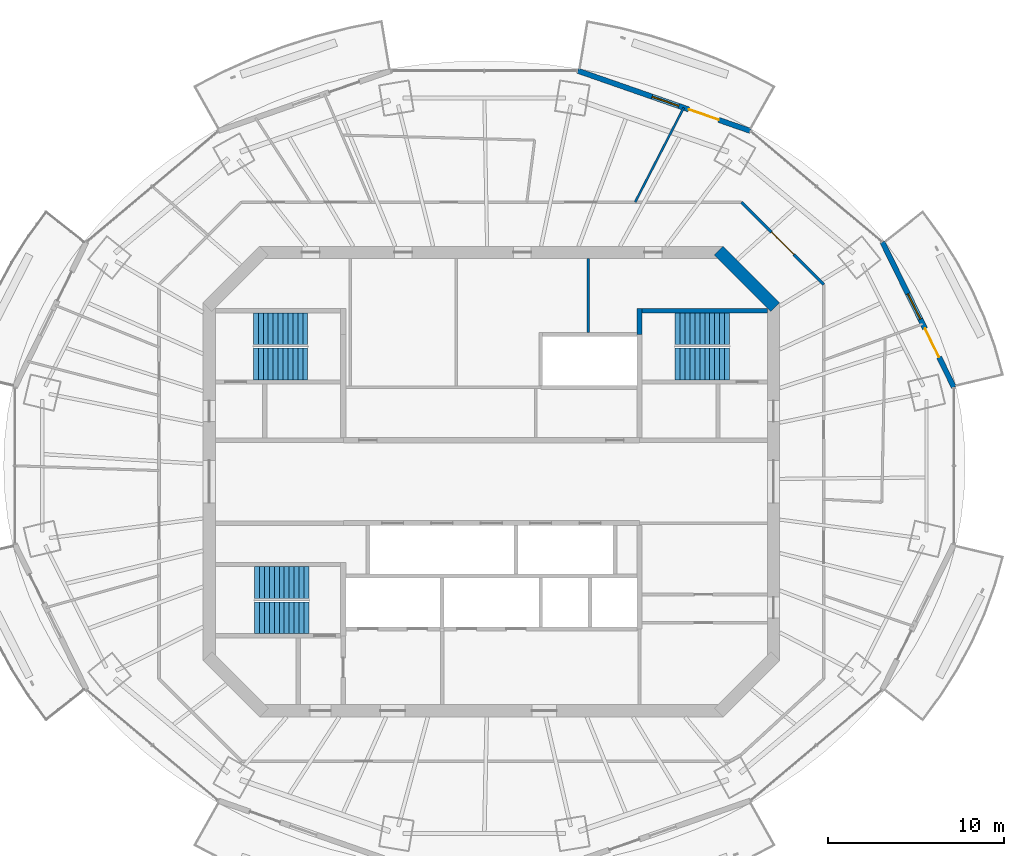
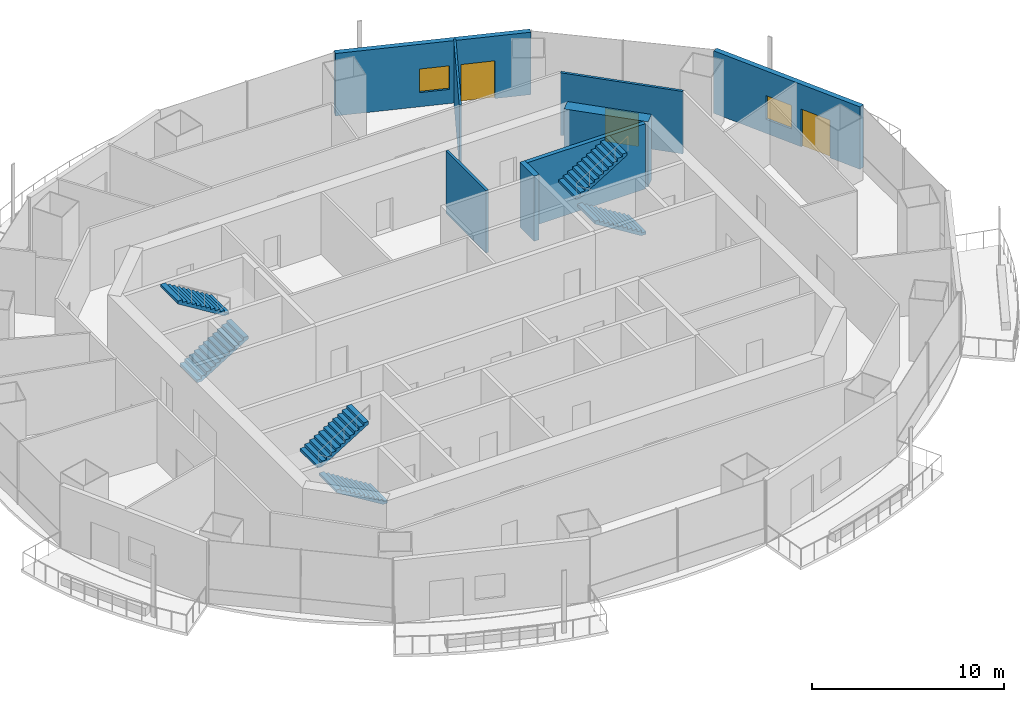
# One storey, part 11 of 16: 8 walls, 6 stair flights, 3 doors, 2 windows, 5 openings, 3 elements without a shape of their own.
"""IFC4 building model written with IfcOpenShell, lengths in metres."""

from ifc_helpers import new_model, si_unit, direction, frame, frame_2d, origin, place, context, subcontext, project, spatial, polyline, rectangle, outline, extrude, material, layer, layer_set, type_object, element, fill, aggregate, save


model = new_model("IFC4")

# Units and contexts
model_context = context("Model", 3, precision=1e-05, world=origin(), true_north=direction((0.0, 1.0)))
body_context = subcontext(model_context, "Body", "Model", "MODEL_VIEW")
ifc_project = project(units=[si_unit("LENGTHUNIT", "METRE"), si_unit("AREAUNIT", "SQUARE_METRE"), si_unit("VOLUMEUNIT", "CUBIC_METRE"), si_unit("PLANEANGLEUNIT", "RADIAN"), si_unit("MASSUNIT", "GRAM", prefix="KILO")], contexts=[model_context])

# Site, building, storey
site_placement = place(None, origin())
site = spatial("IfcSite", under=ifc_project, at=site_placement, CompositionType="ELEMENT")
building_placement = place(site_placement, origin())
building = spatial("IfcBuilding", under=site, at=building_placement, Name="Marenthal Gate Tower", CompositionType="ELEMENT")
storey_placement = place(building_placement, frame((0.0, 0.0, 342.60009765625)))
storey = spatial("IfcBuildingStorey", under=building, at=storey_placement, Name="L77", CompositionType="ELEMENT", Elevation=342.60009765625)

# Walls
ifc_material_1 = material(Name="Concrete 60 MPa", Category="concrete")
ifc_layer_1 = layer(ifc_material_1, 0.699951171875)
ifc_layer_set_1 = layer_set([ifc_layer_1], Name="Core shear wall 700")
wall_type_1 = type_object("IfcWallType", Name="Core shear wall 700", PredefinedType="SHEAR", material=ifc_layer_set_1)
wall_1_placement = place(storey_placement, frame((16.1025390625, 9.8974609375, -0.18017578125), z_axis=(0.0, 0.0, 1.0), x_axis=(-0.707106781187, 0.707106781187, 0.0)))
element("IfcWall", 1, at=wall_1_placement, inside=storey, type_object=wall_type_1, Name="Core wall 03", PredefinedType="SHEAR", context=body_context, shape_type="SweptSolid", body=[
    extrude(rectangle(XDim=4.53271484375, YDim=0.699951171875, at=frame_2d((2.266357421875, 0.0))), origin(), (0.0, 0.0, 1.0), 4.150146484375),
])
ifc_material_2 = material(Name="Gypsum board on steel studs", Category="steel")
ifc_layer_2 = layer(ifc_material_2, 0.1201171875)
ifc_layer_set_2 = layer_set([ifc_layer_2], Name="Partition 120")
wall_type_2 = type_object("IfcWallType", Name="Partition 120", PredefinedType="PARTITIONING", material=ifc_layer_set_2)
wall_2_placement = place(storey_placement, frame((8.150390625, 15.85009765625, 0.0), z_axis=(0.0, 0.0, 1.0), x_axis=(0.457314139227, 0.889305222105, 0.0)))
element("IfcWall", 2, at=wall_2_placement, inside=storey, type_object=wall_type_2, Name="Partition wall 65", PredefinedType="PARTITIONING", context=body_context, shape_type="SweptSolid", body=[
    extrude(rectangle(XDim=6.025634765625, YDim=0.1201171875, at=frame_2d((3.0126953125, 0.0))), origin(), (0.0, 0.0, 1.0), 3.969970703125),
])
ifc_material_3 = material(Name="Gypsum board on steel studs", Category="steel")
ifc_layer_3 = layer(ifc_material_3, 0.14990234375)
ifc_layer_set_3 = layer_set([ifc_layer_3], Name="Partition 150")
wall_type_3 = type_object("IfcWallType", Name="Partition 150", PredefinedType="PARTITIONING", material=ifc_layer_set_3)
wall_3_placement = place(storey_placement, frame((5.5, 8.4599609375, 0.0), z_axis=(0.0, 0.0, 1.0), x_axis=(0.0, 1.0, 0.0)))
element("IfcWall", 3, at=wall_3_placement, inside=storey, type_object=wall_type_3, Name="Partition wall 44", PredefinedType="PARTITIONING", context=body_context, shape_type="SweptSolid", body=[
    extrude(rectangle(XDim=4.18994140625, YDim=0.14990234375, at=frame_2d((2.094970703125, 0.0))), origin(), (0.0, 0.0, 1.0), 3.969970703125),
])

# Wall, opening, door
wall_4_placement = place(storey_placement, frame((14.180419921875, 15.85009765625, 0.0), z_axis=(0.0, 0.0, 1.0), x_axis=(0.707106781187, -0.707106781187, 0.0)))
wall_4 = element("IfcWall", 4, at=wall_4_placement, inside=storey, type_object=wall_type_3, Name="Partition wall 68", PredefinedType="PARTITIONING", context=body_context, shape_type="SweptSolid", body=[
    extrude(rectangle(XDim=6.60400390625, YDim=0.14990234375, at=frame_2d((3.302001953125, 0.0))), origin(), (0.0, 0.0, 1.0), 3.969970703125),
])
opening_1_placement = place(wall_4_placement, frame((2.402099609375, 0.0, 0.0)))
opening_1 = element("IfcOpeningElement", 5, at=opening_1_placement, cuts=wall_4, Name="Opening D014.01", PredefinedType="OPENING", context=body_context, shape_type="SweptSolid", body=[
    extrude(rectangle(XDim=1.800048828125, YDim=2.10009765625, at=frame_2d((0.89990234375, 1.050048828125))), frame((0.0, 0.0849609375, 0.0), z_axis=(0.0, -1.0, 0.0), x_axis=(1.0, 0.0, 0.0)), (0.0, 0.0, 1.0), 0.169921875),
])
ifc_material_4 = material(Name="Timber door", Category="wood")
door_type_1 = type_object("IfcDoorType", Name="Double door 1800 x 2100", OperationType="DOUBLE_DOOR_SINGLE_SWING", PredefinedType="DOOR", material=ifc_material_4)
door_1_placement = place(opening_1_placement, origin())
door_1 = element("IfcDoor", 6, at=door_1_placement, inside=storey, type_object=door_type_1, Name="Door D014.01", OperationType="DOUBLE_DOOR_SINGLE_SWING", OverallHeight=2.10009765625, OverallWidth=1.800048828125, PredefinedType="DOOR", context=body_context, shape_type="SweptSolid", body=[
    extrude(rectangle(XDim=1.800048828125, YDim=2.10009765625, at=frame_2d((0.89990234375, 1.050048828125))), frame((0.0, 0.02490234375, 0.0), z_axis=(0.0, -1.0, 0.0), x_axis=(1.0, 0.0, 0.0)), (0.0, 0.0, 1.0), 0.050048828125),
])
fill(opening_1, door_1)

# Walls
ifc_material_5 = material(Name="Concrete 50 MPa", Category="concrete")
ifc_layer_4 = layer(ifc_material_5, 0.25)
ifc_layer_set_4 = layer_set([ifc_layer_4], Name="Stair shear wall 250")
wall_type_4 = type_object("IfcWallType", Name="Stair shear wall 250", PredefinedType="SHEAR", material=ifc_layer_set_4)
wall_5_placement = place(storey_placement, frame((8.550048828125, 9.699951171875, -0.18017578125), z_axis=(0.0, 0.0, 1.0), x_axis=(1.0, 0.0, 0.0)))
element("IfcWall", 7, at=wall_5_placement, inside=storey, type_object=wall_type_4, Name="Stair wall 28", PredefinedType="SHEAR", context=body_context, shape_type="SweptSolid", body=[
    extrude(rectangle(XDim=7.099853515625, YDim=0.25, at=frame_2d((3.5498046875, 0.0))), origin(), (0.0, 0.0, 1.0), 4.150146484375),
])
ifc_material_6 = material(Name="Concrete 50 MPa", Category="concrete")
ifc_layer_5 = layer(ifc_material_6, 0.300048828125)
ifc_layer_set_5 = layer_set([ifc_layer_5], Name="Stair shear wall 300")
wall_type_5 = type_object("IfcWallType", Name="Stair shear wall 300", PredefinedType="SHEAR", material=ifc_layer_set_5)
wall_6_placement = place(storey_placement, frame((8.39990234375, 8.35009765625, -0.18017578125), z_axis=(0.0, 0.0, 1.0), x_axis=(0.0, 1.0, 0.0)))
element("IfcWall", 8, at=wall_6_placement, inside=storey, type_object=wall_type_5, Name="Stair wall 50", PredefinedType="SHEAR", context=body_context, shape_type="SweptSolid", body=[
    extrude(rectangle(XDim=1.474853515625, YDim=0.300048828125, at=frame_2d((0.7373046875, 0.0))), origin(), (0.0, 0.0, 1.0), 4.150146484375),
])

# Wall, openings, door, window
ifc_material_7 = material(Name="Terracotta cladding on insulated concrete-block backing", Category="masonry")
ifc_layer_6 = layer(ifc_material_7, 0.300048828125)
ifc_layer_set_6 = layer_set([ifc_layer_6], Name="Terracotta facade wall 300")
wall_type_6 = type_object("IfcWallType", Name="Terracotta facade wall 300", PredefinedType="SOLIDWALL", material=ifc_layer_set_6)
wall_7_placement = place(storey_placement, frame((26.227294921875, 5.356201171875, 0.0), z_axis=(0.0, 0.0, 1.0), x_axis=(-0.441682707494, 0.89717132472, 0.0)))
wall_7 = element("IfcWall", 9, at=wall_7_placement, inside=storey, type_object=wall_type_6, Name="Terracotta facade wall L77 bay 1", PredefinedType="SOLIDWALL", context=body_context, shape_type="SweptSolid", body=[
    extrude(rectangle(XDim=9.177978515625, YDim=0.300048828125, at=frame_2d((4.5888671875, 0.0))), origin(), (0.0, 0.0, 1.0), 3.969970703125),
])
opening_2_placement = place(wall_7_placement, frame((1.89990234375, 0.0, 0.0)))
opening_2 = element("IfcOpeningElement", 10, at=opening_2_placement, cuts=wall_7, Name="Opening BD-L77-01", PredefinedType="OPENING", context=body_context, shape_type="SweptSolid", body=[
    extrude(rectangle(XDim=1.800048828125, YDim=2.39990234375, at=frame_2d((0.89990234375, 1.199951171875))), frame((0.0, 0.16015625, 0.0), z_axis=(0.0, -1.0, 0.0), x_axis=(1.0, 0.0, 0.0)), (0.0, 0.0, 1.0), 0.320068359375),
])
opening_3_placement = place(wall_7_placement, frame((4.300048828125, 0.0, 0.89990234375)))
opening_3 = element("IfcOpeningElement", 11, at=opening_3_placement, cuts=wall_7, Name="Opening WN3-L77-01", PredefinedType="OPENING", context=body_context, shape_type="SweptSolid", body=[
    extrude(rectangle(XDim=1.60009765625, YDim=1.5, at=frame_2d((0.800048828125, 0.75))), frame((0.0, 0.16015625, 0.0), z_axis=(0.0, -1.0, 0.0), x_axis=(1.0, 0.0, 0.0)), (0.0, 0.0, 1.0), 0.320068359375),
])
ifc_material_8 = material(Name="Aluminium and glass", Category="aluminium")
door_type_2 = type_object("IfcDoorType", Name="Balcony door 1800x2400", OperationType="DOUBLE_DOOR_SINGLE_SWING", PredefinedType="DOOR", material=ifc_material_8)
door_2_placement = place(opening_2_placement, origin())
door_2 = element("IfcDoor", 12, at=door_2_placement, inside=storey, type_object=door_type_2, Name="Balcony door L77 bay 1", OperationType="SINGLE_SWING_LEFT", OverallHeight=2.39990234375, OverallWidth=1.800048828125, PredefinedType="DOOR", context=body_context, shape_type="SweptSolid", body=[
    extrude(rectangle(XDim=1.800048828125, YDim=2.39990234375, at=frame_2d((0.89990234375, 1.199951171875))), frame((0.0, 0.02490234375, 0.0), z_axis=(0.0, -1.0, 0.0), x_axis=(1.0, 0.0, 0.0)), (0.0, 0.0, 1.0), 0.050048828125),
])
fill(opening_2, door_2)
ifc_material_9 = material(Name="Aluminium and glass", Category="aluminium")
window_type = type_object("IfcWindowType", Name="Window 1600x1500", PartitioningType="DOUBLE_PANEL_VERTICAL", PredefinedType="WINDOW", material=ifc_material_9)
window_1_placement = place(opening_3_placement, origin())
window_1 = element("IfcWindow", 13, at=window_1_placement, inside=storey, type_object=window_type, Name="Window L77 bay 1", OverallHeight=1.5, OverallWidth=1.60009765625, PartitioningType="SINGLE_PANEL", PredefinedType="WINDOW", context=body_context, shape_type="SweptSolid", body=[
    extrude(rectangle(XDim=1.60009765625, YDim=1.5, at=frame_2d((0.800048828125, 0.75))), frame((0.0, 0.030029296875, 0.0), z_axis=(0.0, -1.0, 0.0), x_axis=(1.0, 0.0, 0.0)), (0.0, 0.0, 1.0), 0.06005859375),
])
fill(opening_3, window_1)

wall_8_placement = place(storey_placement, frame((14.68310546875, 19.892333984375, 0.0), z_axis=(0.0, 0.0, 1.0), x_axis=(-0.944291634301, 0.329109874341, 0.0)))
wall_8 = element("IfcWall", 14, at=wall_8_placement, inside=storey, type_object=wall_type_6, Name="Terracotta facade wall L77 bay 3", PredefinedType="SOLIDWALL", context=body_context, shape_type="SweptSolid", body=[
    extrude(rectangle(XDim=10.364013671875, YDim=0.300048828125, at=frame_2d((5.18212890625, 0.0))), origin(), (0.0, 0.0, 1.0), 3.969970703125),
])
opening_4_placement = place(wall_8_placement, frame((1.89990234375, 0.0, 0.0)))
opening_4 = element("IfcOpeningElement", 15, at=opening_4_placement, cuts=wall_8, Name="Opening BD-L77-03", PredefinedType="OPENING", context=body_context, shape_type="SweptSolid", body=[
    extrude(rectangle(XDim=1.800048828125, YDim=2.39990234375, at=frame_2d((0.89990234375, 1.199951171875))), frame((0.0, 0.16015625, 0.0), z_axis=(0.0, -1.0, 0.0), x_axis=(1.0, 0.0, 0.0)), (0.0, 0.0, 1.0), 0.320068359375),
])
opening_5_placement = place(wall_8_placement, frame((4.300048828125, 0.0, 0.89990234375)))
opening_5 = element("IfcOpeningElement", 16, at=opening_5_placement, cuts=wall_8, Name="Opening WN3-L77-03", PredefinedType="OPENING", context=body_context, shape_type="SweptSolid", body=[
    extrude(rectangle(XDim=1.60009765625, YDim=1.5, at=frame_2d((0.800048828125, 0.75))), frame((0.0, 0.16015625, 0.0), z_axis=(0.0, -1.0, 0.0), x_axis=(1.0, 0.0, 0.0)), (0.0, 0.0, 1.0), 0.320068359375),
])
door_3_placement = place(opening_4_placement, origin())
door_3 = element("IfcDoor", 17, at=door_3_placement, inside=storey, type_object=door_type_2, Name="Balcony door L77 bay 3", OperationType="SINGLE_SWING_LEFT", OverallHeight=2.39990234375, OverallWidth=1.800048828125, PredefinedType="DOOR", context=body_context, shape_type="SweptSolid", body=[
    extrude(rectangle(XDim=1.800048828125, YDim=2.39990234375, at=frame_2d((0.89990234375, 1.199951171875))), frame((0.0, 0.02490234375, 0.0), z_axis=(0.0, -1.0, 0.0), x_axis=(1.0, 0.0, 0.0)), (0.0, 0.0, 1.0), 0.050048828125),
])
fill(opening_4, door_3)
window_2_placement = place(opening_5_placement, origin())
window_2 = element("IfcWindow", 18, at=window_2_placement, inside=storey, type_object=window_type, Name="Window L77 bay 3", OverallHeight=1.5, OverallWidth=1.60009765625, PartitioningType="SINGLE_PANEL", PredefinedType="WINDOW", context=body_context, shape_type="SweptSolid", body=[
    extrude(rectangle(XDim=1.60009765625, YDim=1.5, at=frame_2d((0.800048828125, 0.75))), frame((0.0, 0.030029296875, 0.0), z_axis=(0.0, -1.0, 0.0), x_axis=(1.0, 0.0, 0.0)), (0.0, 0.0, 1.0), 0.06005859375),
])
fill(opening_5, window_2)

# Stair, stair flights
ifc_material_10 = material(Name="Concrete 40 MPa", Category="concrete")
stair_type = type_object("IfcStairType", Name="Exit stair 1800", PredefinedType="HALF_TURN_STAIR", material=ifc_material_10)
stair_1_placement = place(storey_placement, origin())
stair_1 = element("IfcStair", 19, at=stair_1_placement, inside=storey, type_object=stair_type, Name="Stair ST1", PredefinedType="HALF_TURN_STAIR")
ifc_material_11 = material(Name="Concrete 40 MPa", Category="concrete")
stair_flight_type = type_object("IfcStairFlightType", Name="Stair flight 1800", PredefinedType="STRAIGHT", material=ifc_material_11)
stair_flight_1_placement = place(storey_placement, frame((-13.5, 6.675048828125, 0.0), z_axis=(0.0, 0.0, 1.0), x_axis=(1.0, 0.0, 0.0)))
stair_flight_1 = element("IfcStairFlight", 20, at=stair_flight_1_placement, type_object=stair_flight_type, Name="ST1 flight 1", NumberOfRisers=12, NumberOfTreads=11, PredefinedType="STRAIGHT", RiserHeight=0.172916667, TreadLength=0.28, context=body_context, shape_type="SweptSolid", body=[
    extrude(outline(polyline([(0.0, 0.0), (0.0, 0.1728515625), (0.280029296875, 0.1728515625), (0.280029296875, 0.345947265625), (0.56005859375, 0.345947265625), (0.56005859375, 0.518798828125), (0.840087890625, 0.518798828125), (0.840087890625, 0.691650390625), (1.1201171875, 0.691650390625), (1.1201171875, 0.864501953125), (1.39990234375, 0.864501953125), (1.39990234375, 1.03759765625), (1.679931640625, 1.03759765625), (1.679931640625, 1.21044921875), (1.9599609375, 1.21044921875), (1.9599609375, 1.38330078125), (2.239990234375, 1.38330078125), (2.239990234375, 1.55615234375), (2.52001953125, 1.55615234375), (2.52001953125, 1.729248046875), (2.800048828125, 1.729248046875), (2.800048828125, 1.902099609375), (3.080078125, 1.902099609375), (3.080078125, 2.074951171875), (3.080078125, 1.725830078125), (0.285400390625, 0.0), (0.0, 0.0)])), frame((0.0, 0.89990234375, 0.0), z_axis=(0.0, -1.0, 0.0), x_axis=(1.0, 0.0, 0.0)), (0.0, 0.0, 1.0), 1.800048828125),
])
stair_flight_2_placement = place(storey_placement, frame((-10.419921875, 8.675048828125, 2.074951171875), z_axis=(0.0, 0.0, 1.0), x_axis=(-1.0, 0.0, 0.0)))
stair_flight_2 = element("IfcStairFlight", 21, at=stair_flight_2_placement, type_object=stair_flight_type, Name="ST1 flight 2", NumberOfRisers=12, NumberOfTreads=11, PredefinedType="STRAIGHT", RiserHeight=0.172916667, TreadLength=0.28, context=body_context, shape_type="SweptSolid", body=[
    extrude(outline(polyline([(0.0, 0.0), (0.0, 0.1728515625), (0.280029296875, 0.1728515625), (0.280029296875, 0.345947265625), (0.56005859375, 0.345947265625), (0.56005859375, 0.518798828125), (0.840087890625, 0.518798828125), (0.840087890625, 0.691650390625), (1.1201171875, 0.691650390625), (1.1201171875, 0.864501953125), (1.39990234375, 0.864501953125), (1.39990234375, 1.03759765625), (1.679931640625, 1.03759765625), (1.679931640625, 1.21044921875), (1.9599609375, 1.21044921875), (1.9599609375, 1.38330078125), (2.239990234375, 1.38330078125), (2.239990234375, 1.55615234375), (2.52001953125, 1.55615234375), (2.52001953125, 1.729248046875), (2.800048828125, 1.729248046875), (2.800048828125, 1.902099609375), (3.080078125, 1.902099609375), (3.080078125, 2.074951171875), (3.080078125, 1.725830078125), (0.285400390625, 0.0), (0.0, 0.0)])), frame((0.0, 0.89990234375, 0.0), z_axis=(0.0, -1.0, 0.0), x_axis=(1.0, 0.0, 0.0)), (0.0, 0.0, 1.0), 1.800048828125),
])
aggregate(stair_1, [stair_flight_1, stair_flight_2])

stair_2_placement = place(storey_placement, origin())
stair_2 = element("IfcStair", 22, at=stair_2_placement, inside=storey, type_object=stair_type, Name="Stair ST2", PredefinedType="HALF_TURN_STAIR")
stair_flight_3_placement = place(storey_placement, frame((-10.35009765625, -7.72509765625, 0.0), z_axis=(0.0, 0.0, 1.0), x_axis=(-1.0, 0.0, 0.0)))
stair_flight_3 = element("IfcStairFlight", 23, at=stair_flight_3_placement, type_object=stair_flight_type, Name="ST2 flight 1", NumberOfRisers=12, NumberOfTreads=11, PredefinedType="STRAIGHT", RiserHeight=0.172916667, TreadLength=0.28, context=body_context, shape_type="SweptSolid", body=[
    extrude(outline(polyline([(0.0, 0.0), (0.0, 0.1728515625), (0.280029296875, 0.1728515625), (0.280029296875, 0.345947265625), (0.56005859375, 0.345947265625), (0.56005859375, 0.518798828125), (0.840087890625, 0.518798828125), (0.840087890625, 0.691650390625), (1.1201171875, 0.691650390625), (1.1201171875, 0.864501953125), (1.39990234375, 0.864501953125), (1.39990234375, 1.03759765625), (1.679931640625, 1.03759765625), (1.679931640625, 1.21044921875), (1.9599609375, 1.21044921875), (1.9599609375, 1.38330078125), (2.239990234375, 1.38330078125), (2.239990234375, 1.55615234375), (2.52001953125, 1.55615234375), (2.52001953125, 1.729248046875), (2.800048828125, 1.729248046875), (2.800048828125, 1.902099609375), (3.080078125, 1.902099609375), (3.080078125, 2.074951171875), (3.080078125, 1.725830078125), (0.285400390625, 0.0), (0.0, 0.0)])), frame((0.0, 0.89990234375, 0.0), z_axis=(0.0, -1.0, 0.0), x_axis=(1.0, 0.0, 0.0)), (0.0, 0.0, 1.0), 1.800048828125),
])
stair_flight_4_placement = place(storey_placement, frame((-13.429931640625, -5.72509765625, 2.074951171875), z_axis=(0.0, 0.0, 1.0), x_axis=(1.0, 0.0, 0.0)))
stair_flight_4 = element("IfcStairFlight", 24, at=stair_flight_4_placement, type_object=stair_flight_type, Name="ST2 flight 2", NumberOfRisers=12, NumberOfTreads=11, PredefinedType="STRAIGHT", RiserHeight=0.172916667, TreadLength=0.28, context=body_context, shape_type="SweptSolid", body=[
    extrude(outline(polyline([(0.0, 0.0), (0.0, 0.1728515625), (0.280029296875, 0.1728515625), (0.280029296875, 0.345947265625), (0.56005859375, 0.345947265625), (0.56005859375, 0.518798828125), (0.840087890625, 0.518798828125), (0.840087890625, 0.691650390625), (1.1201171875, 0.691650390625), (1.1201171875, 0.864501953125), (1.39990234375, 0.864501953125), (1.39990234375, 1.03759765625), (1.679931640625, 1.03759765625), (1.679931640625, 1.21044921875), (1.9599609375, 1.21044921875), (1.9599609375, 1.38330078125), (2.239990234375, 1.38330078125), (2.239990234375, 1.55615234375), (2.52001953125, 1.55615234375), (2.52001953125, 1.729248046875), (2.800048828125, 1.729248046875), (2.800048828125, 1.902099609375), (3.080078125, 1.902099609375), (3.080078125, 2.074951171875), (3.080078125, 1.725830078125), (0.285400390625, 0.0), (0.0, 0.0)])), frame((0.0, 0.89990234375, 0.0), z_axis=(0.0, -1.0, 0.0), x_axis=(1.0, 0.0, 0.0)), (0.0, 0.0, 1.0), 1.800048828125),
])
aggregate(stair_2, [stair_flight_3, stair_flight_4])

stair_3_placement = place(storey_placement, origin())
stair_3 = element("IfcStair", 25, at=stair_3_placement, inside=storey, type_object=stair_type, Name="Stair ST3", PredefinedType="HALF_TURN_STAIR")
stair_flight_5_placement = place(storey_placement, frame((13.5, 6.675048828125, 0.0), z_axis=(0.0, 0.0, 1.0), x_axis=(-1.0, 0.0, 0.0)))
stair_flight_5 = element("IfcStairFlight", 26, at=stair_flight_5_placement, type_object=stair_flight_type, Name="ST3 flight 1", NumberOfRisers=12, NumberOfTreads=11, PredefinedType="STRAIGHT", RiserHeight=0.172916667, TreadLength=0.28, context=body_context, shape_type="SweptSolid", body=[
    extrude(outline(polyline([(0.0, 0.0), (0.0, 0.1728515625), (0.280029296875, 0.1728515625), (0.280029296875, 0.345947265625), (0.56005859375, 0.345947265625), (0.56005859375, 0.518798828125), (0.840087890625, 0.518798828125), (0.840087890625, 0.691650390625), (1.1201171875, 0.691650390625), (1.1201171875, 0.864501953125), (1.39990234375, 0.864501953125), (1.39990234375, 1.03759765625), (1.679931640625, 1.03759765625), (1.679931640625, 1.21044921875), (1.9599609375, 1.21044921875), (1.9599609375, 1.38330078125), (2.239990234375, 1.38330078125), (2.239990234375, 1.55615234375), (2.52001953125, 1.55615234375), (2.52001953125, 1.729248046875), (2.800048828125, 1.729248046875), (2.800048828125, 1.902099609375), (3.080078125, 1.902099609375), (3.080078125, 2.074951171875), (3.080078125, 1.725830078125), (0.285400390625, 0.0), (0.0, 0.0)])), frame((0.0, 0.89990234375, 0.0), z_axis=(0.0, -1.0, 0.0), x_axis=(1.0, 0.0, 0.0)), (0.0, 0.0, 1.0), 1.800048828125),
])
stair_flight_6_placement = place(storey_placement, frame((10.419921875, 8.675048828125, 2.074951171875), z_axis=(0.0, 0.0, 1.0), x_axis=(1.0, 0.0, 0.0)))
stair_flight_6 = element("IfcStairFlight", 27, at=stair_flight_6_placement, type_object=stair_flight_type, Name="ST3 flight 2", NumberOfRisers=12, NumberOfTreads=11, PredefinedType="STRAIGHT", RiserHeight=0.172916667, TreadLength=0.28, context=body_context, shape_type="SweptSolid", body=[
    extrude(outline(polyline([(0.0, 0.0), (0.0, 0.1728515625), (0.280029296875, 0.1728515625), (0.280029296875, 0.345947265625), (0.56005859375, 0.345947265625), (0.56005859375, 0.518798828125), (0.840087890625, 0.518798828125), (0.840087890625, 0.691650390625), (1.1201171875, 0.691650390625), (1.1201171875, 0.864501953125), (1.39990234375, 0.864501953125), (1.39990234375, 1.03759765625), (1.679931640625, 1.03759765625), (1.679931640625, 1.21044921875), (1.9599609375, 1.21044921875), (1.9599609375, 1.38330078125), (2.239990234375, 1.38330078125), (2.239990234375, 1.55615234375), (2.52001953125, 1.55615234375), (2.52001953125, 1.729248046875), (2.800048828125, 1.729248046875), (2.800048828125, 1.902099609375), (3.080078125, 1.902099609375), (3.080078125, 2.074951171875), (3.080078125, 1.725830078125), (0.285400390625, 0.0), (0.0, 0.0)])), frame((0.0, 0.89990234375, 0.0), z_axis=(0.0, -1.0, 0.0), x_axis=(1.0, 0.0, 0.0)), (0.0, 0.0, 1.0), 1.800048828125),
])
aggregate(stair_3, [stair_flight_5, stair_flight_6])

save(model, "model.ifc")
